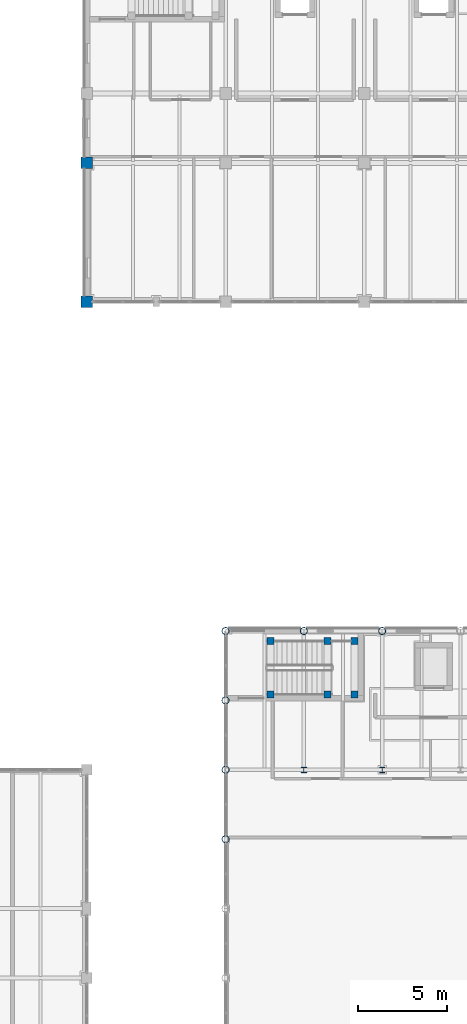
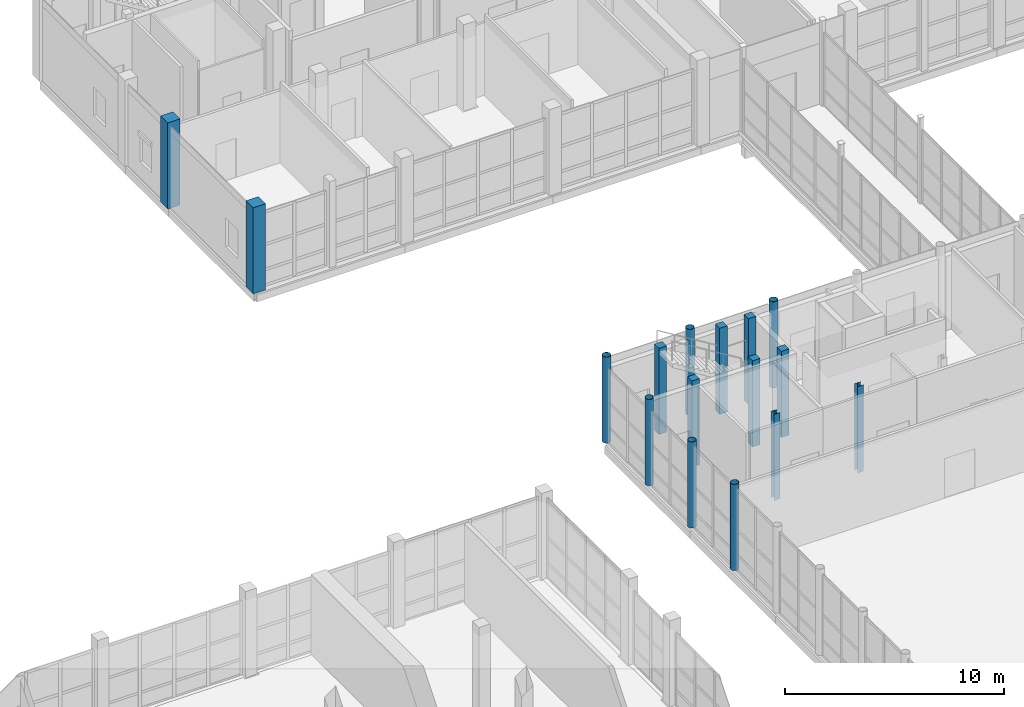
# One storey, part 12 of 131: 16 columns.
"""IFC4 building model written with IfcOpenShell, lengths in metres."""

from ifc_helpers import new_model, si_unit, direction, frame, origin, origin_2d, place, context, subcontext, project, spatial, rectangle, hollow_circle, i_section, extrude, material, material_profile, profile_set, type_object, element, save


model = new_model("IFC4")

# Units and contexts
model_context = context("Model", 3, precision=1e-05, world=origin(), true_north=direction((0.0, 1.0)))
body_context = subcontext(model_context, "Body", "Model", "MODEL_VIEW")
ifc_project = project(units=[si_unit("LENGTHUNIT", "METRE"), si_unit("AREAUNIT", "SQUARE_METRE"), si_unit("VOLUMEUNIT", "CUBIC_METRE"), si_unit("PLANEANGLEUNIT", "RADIAN"), si_unit("MASSUNIT", "GRAM", prefix="KILO")], contexts=[model_context])

# Site, building, storey
site_placement = place(None, origin())
site = spatial("IfcSite", under=ifc_project, at=site_placement, CompositionType="ELEMENT")
building_placement = place(site_placement, origin())
building = spatial("IfcBuilding", under=site, at=building_placement, Name="Celorna Specialist Clinic", CompositionType="ELEMENT")
storey_placement = place(building_placement, origin())
storey = spatial("IfcBuildingStorey", under=building, at=storey_placement, Name="L00", CompositionType="ELEMENT", Elevation=0.0)

# Columns
ifc_material_1 = material(Name="Concrete C40/50", Category="concrete")
ifc_material_profile_1 = material_profile(ifc_material_1, rectangle(XDim=0.64990234375, YDim=0.64990234375, at=origin_2d()), Name="RC 650x650")
ifc_profile_set_1 = profile_set([ifc_material_profile_1], Name="Concrete C40/50")
column_type_1 = type_object("IfcColumnType", Name="CT-03", PredefinedType="COLUMN", material=ifc_profile_set_1)
for number, where, z_axis, x_axis, name in (
    (1, (46.800048828125, 96.5, 0.0), (0.0, 0.0, 1.0), (1.0, 0.0, 0.0), "Column CT-03 L00 X07/YR"),
    (2, (46.800048828125, 104.300048828125, 0.0), (0.0, 0.0, 1.0), (1.0, 0.0, 0.0), "Column CT-03 L00 X07/YS"),
):
    element("IfcColumn", number, at=place(storey_placement, frame(where, z_axis=z_axis, x_axis=x_axis)), inside=storey, type_object=column_type_1, Name=name, PredefinedType="COLUMN", context=body_context, shape_type="SweptSolid", body=[
        extrude(rectangle(XDim=0.64990234375, YDim=0.64990234375, at=origin_2d()), origin(), (0.0, 0.0, 1.0), 4.800048828125),
    ])
ifc_material_2 = material(Name="Concrete C35/45", Category="concrete")
ifc_material_profile_2 = material_profile(ifc_material_2, rectangle(XDim=0.39990234375, YDim=0.39990234375, at=origin_2d()), Name="RC 400x400")
ifc_profile_set_2 = profile_set([ifc_material_profile_2], Name="Concrete C35/45")
column_type_2 = type_object("IfcColumnType", Name="CT-08", PredefinedType="COLUMN", material=ifc_profile_set_2)
for number, where, z_axis, x_axis, name in (
    (3, (57.1201171875, 74.429931640625, 0.0), (0.0, 0.0, 1.0), (1.0, 0.0, 0.0), "Stair ST-10 landing column CT-08 L00 X08/YP"),
    (4, (57.1201171875, 77.429931640625, 0.0), (0.0, 0.0, 1.0), (1.0, 0.0, 0.0), "Stair ST-10 landing column CT-08 L00 X08/YP"),
    (5, (60.320068359375, 74.429931640625, 0.0), (0.0, 0.0, 1.0), (1.0, 0.0, 0.0), "Stair ST-10 landing column CT-08 L00 X09/YP"),
    (6, (60.320068359375, 77.429931640625, 0.0), (0.0, 0.0, 1.0), (1.0, 0.0, 0.0), "Stair ST-10 landing column CT-08 L00 X09/YP"),
    (7, (61.840087890625, 74.429931640625, 0.0), (0.0, 0.0, 1.0), (1.0, 0.0, 0.0), "Stair ST-10 landing column CT-08 L00 X09/YP"),
    (8, (61.840087890625, 77.429931640625, 0.0), (0.0, 0.0, 1.0), (1.0, 0.0, 0.0), "Stair ST-10 landing column CT-08 L00 X09/YP"),
):
    element("IfcColumn", number, at=place(storey_placement, frame(where, z_axis=z_axis, x_axis=x_axis)), inside=storey, type_object=column_type_2, Name=name, PredefinedType="COLUMN", context=body_context, shape_type="SweptSolid", body=[
        extrude(rectangle(XDim=0.39990234375, YDim=0.39990234375, at=origin_2d()), origin(), (0.0, 0.0, 1.0), 4.800048828125),
    ])
ifc_material_3 = material(Name="Steel S355", Category="steel")
ifc_material_profile_3 = material_profile(ifc_material_3, hollow_circle(Radius=0.203125, WallThickness=0.01611328125, at=origin_2d()), Name="CHS 406.4x16")
ifc_profile_set_3 = profile_set([ifc_material_profile_3], Name="Steel S355")
column_type_3 = type_object("IfcColumnType", Name="CT-12", PredefinedType="COLUMN", material=ifc_profile_set_3)
for number, where, z_axis, x_axis, name in (
    (9, (54.60009765625, 78.0, 0.0), (0.0, 0.0, 1.0), (1.0, 0.0, 0.0), "Column CT-12 L00 X08/YP"),
    (10, (59.0, 78.0, 0.0), (0.0, 0.0, 1.0), (1.0, 0.0, 0.0), "Column CT-12 L00 X09/YP"),
    (11, (63.39990234375, 78.0, 0.0), (0.0, 0.0, 1.0), (1.0, 0.0, 0.0), "Column CT-12 L00 X09/YP"),
    (12, (54.60009765625, 66.300048828125, 0.0), (0.0, 0.0, 1.0), (1.0, 0.0, 0.0), "Column CT-12 L00 X08/YM"),
    (13, (54.60009765625, 70.199951171875, 0.0), (0.0, 0.0, 1.0), (1.0, 0.0, 0.0), "Column CT-12 L00 X08/YN"),
    (14, (54.60009765625, 74.10009765625, 0.0), (0.0, 0.0, 1.0), (1.0, 0.0, 0.0), "Column CT-12 L00 X08/YN"),
):
    element("IfcColumn", number, at=place(storey_placement, frame(where, z_axis=z_axis, x_axis=x_axis)), inside=storey, type_object=column_type_3, Name=name, PredefinedType="COLUMN", context=body_context, shape_type="SweptSolid", body=[
        extrude(hollow_circle(Radius=0.203125, WallThickness=0.01611328125, at=origin_2d()), origin(), (0.0, 0.0, 1.0), 4.800048828125),
    ])
ifc_material_profile_4 = material_profile(ifc_material_3, i_section(OverallWidth=0.300048828125, OverallDepth=0.300048828125, WebThickness=0.010986328125, FlangeThickness=0.01904296875, at=origin_2d()), Name="HE 300 B")
ifc_profile_set_4 = profile_set([ifc_material_profile_4], Name="Steel S355")
column_type_4 = type_object("IfcColumnType", Name="CT-14", PredefinedType="COLUMN", material=ifc_profile_set_4)
for number, where, z_axis, x_axis, name in (
    (15, (59.0, 70.199951171875, 0.0), (0.0, 0.0, 1.0), (1.0, 0.0, 0.0), "Column CT-14 L00 X09/YN"),
    (16, (63.39990234375, 70.199951171875, 0.0), (0.0, 0.0, 1.0), (1.0, 0.0, 0.0), "Column CT-14 L00 X09/YN"),
):
    element("IfcColumn", number, at=place(storey_placement, frame(where, z_axis=z_axis, x_axis=x_axis)), inside=storey, type_object=column_type_4, Name=name, PredefinedType="COLUMN", context=body_context, shape_type="SweptSolid", body=[
        extrude(i_section(OverallWidth=0.300048828125, OverallDepth=0.300048828125, WebThickness=0.010986328125, FlangeThickness=0.01904296875, at=origin_2d()), origin(), (0.0, 0.0, 1.0), 4.800048828125),
    ])

save(model, "model.ifc")
